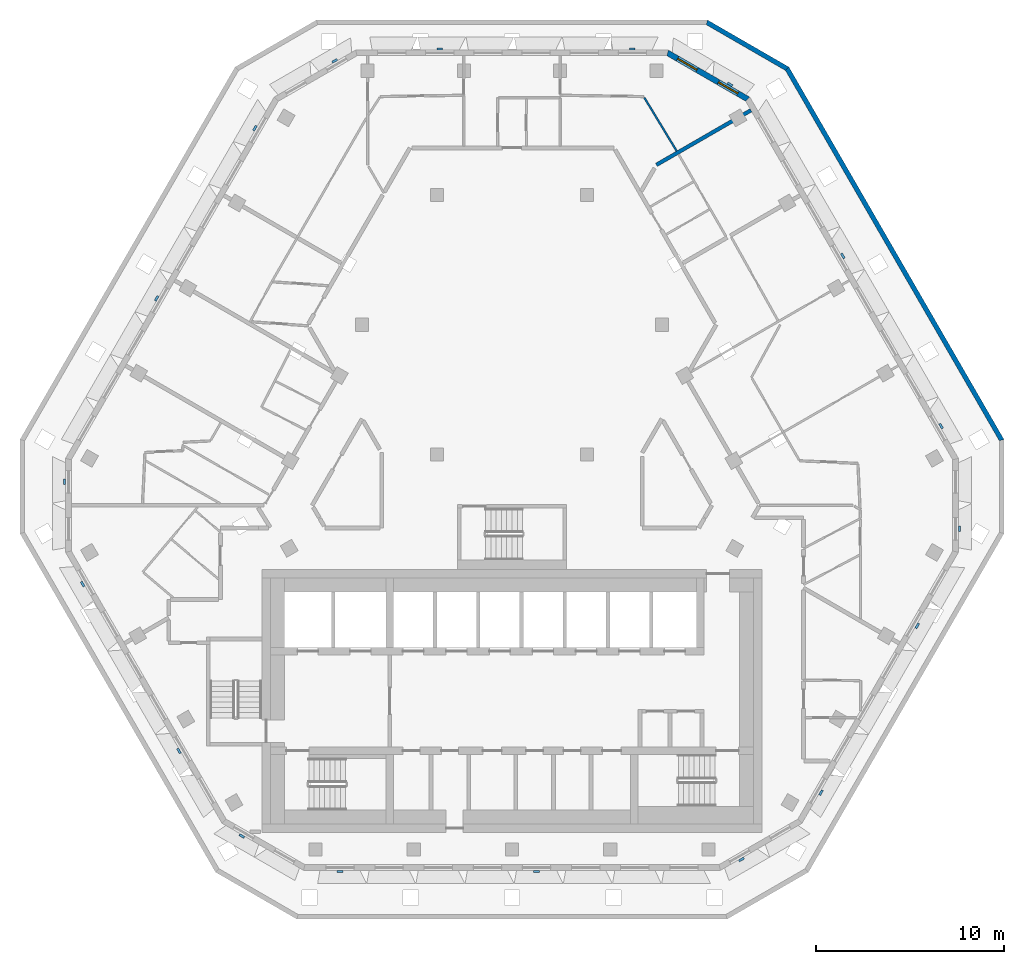
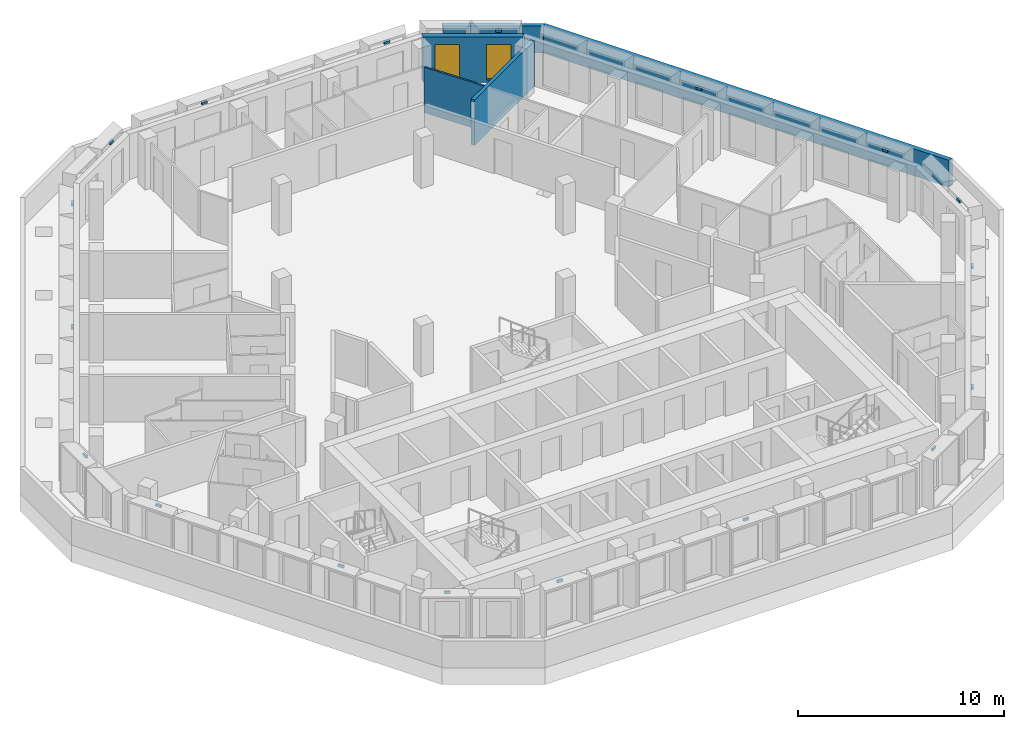
# One storey, part 9 of 15: 18 discrete accessories, 5 walls, 2 windows, 2 openings.
"""IFC4 building model written with IfcOpenShell, lengths in metres."""

from ifc_helpers import new_model, si_unit, direction, frame, frame_2d, origin, place, context, subcontext, project, spatial, polyline, rectangle, outline, extrude, source, transform, mapped, material, layer, layer_set, type_object, type_shapes, element, fill, save


model = new_model("IFC4")

# Units and contexts
model_context = context("Model", 3, precision=1e-05, world=origin(), true_north=direction((0.0, 1.0)))
body_context = subcontext(model_context, "Body", "Model", "MODEL_VIEW")
ifc_project = project(units=[si_unit("LENGTHUNIT", "METRE"), si_unit("AREAUNIT", "SQUARE_METRE"), si_unit("VOLUMEUNIT", "CUBIC_METRE"), si_unit("PLANEANGLEUNIT", "RADIAN"), si_unit("MASSUNIT", "GRAM", prefix="KILO")], contexts=[model_context])

# Site, building, storey
site_placement = place(None, origin())
site = spatial("IfcSite", under=ifc_project, at=site_placement, CompositionType="ELEMENT")
building_placement = place(site_placement, origin())
building = spatial("IfcBuilding", under=site, at=building_placement, Name="Beryl Residences", CompositionType="ELEMENT")
storey_placement = place(building_placement, frame((0.0, 0.0, 202.800048828125)))
storey = spatial("IfcBuildingStorey", under=building, at=storey_placement, Name="L62", CompositionType="ELEMENT", Elevation=202.800048828125)

# Wall, openings, windows
ifc_material_1 = material(Name="Composite metal panel with mineral wool insulation")
ifc_layer_1 = layer(ifc_material_1, 0.300048828125)
ifc_layer_set_1 = layer_set([ifc_layer_1], Name="ES1 pale metal composite panel wall 300 mm")
wall_type_1 = type_object("IfcWallType", Name="ES1 pale metal composite panel wall 300 mm", PredefinedType="SOLIDWALL", material=ifc_layer_set_1)
wall_1_placement = place(storey_placement, frame((12.569091796875, 19.969970703125, 0.0), z_axis=(0.0, 0.0, 1.0), x_axis=(-0.866022959057, 0.500004234368, 0.0)))
wall_1 = element("IfcWall", 1, at=wall_1_placement, inside=storey, type_object=wall_type_1, Name="ES1 external wall L62 NE-N", PredefinedType="SOLIDWALL", context=body_context, shape_type="SweptSolid", body=[
    extrude(outline(polyline([(0.0, -0.14990234375), (5.0, -0.14990234375), (4.919677734375, 0.14990234375), (0.080322265625, 0.14990234375), (0.0, -0.14990234375)])), origin(), (0.0, 0.0, 1.0), 2.699951171875),
])
opening_1_placement = place(wall_1_placement, frame((0.64990234375, 0.0, 0.14990234375)))
opening_1 = element("IfcOpeningElement", 2, at=opening_1_placement, cuts=wall_1, Name="Opening W2", PredefinedType="OPENING", context=body_context, shape_type="SweptSolid", body=[
    extrude(rectangle(XDim=1.199951171875, YDim=2.10009765625, at=frame_2d((0.60009765625, 1.050048828125))), frame((0.0, 0.159912109375, 0.0), z_axis=(0.0, -1.0, 0.0), x_axis=(1.0, 0.0, 0.0)), (0.0, 0.0, 1.0), 0.320068359375),
])
opening_2_placement = place(wall_1_placement, frame((3.14990234375, 0.0, 0.14990234375)))
opening_2 = element("IfcOpeningElement", 3, at=opening_2_placement, cuts=wall_1, Name="Opening W2", PredefinedType="OPENING", context=body_context, shape_type="SweptSolid", body=[
    extrude(rectangle(XDim=1.199951171875, YDim=2.10009765625, at=frame_2d((0.60009765625, 1.050048828125))), frame((0.0, 0.159912109375, 0.0), z_axis=(0.0, -1.0, 0.0), x_axis=(1.0, 0.0, 0.0)), (0.0, 0.0, 1.0), 0.320068359375),
])
ifc_material_2 = material(Name="Aluminium and clear glass", Category="aluminium")
window_type = type_object("IfcWindowType", Name="W2 chamfer window 1200 x 2100 mm", PartitioningType="SINGLE_PANEL", PredefinedType="WINDOW", material=ifc_material_2)
window_1_placement = place(opening_1_placement, origin())
window_1 = element("IfcWindow", 4, at=window_1_placement, inside=storey, type_object=window_type, Name="W2 window L62 NE-N 1", OverallHeight=2.10009765625, OverallWidth=1.199951171875, PartitioningType="SINGLE_PANEL", PredefinedType="WINDOW", context=body_context, shape_type="SweptSolid", body=[
    extrude(rectangle(XDim=1.199951171875, YDim=2.10009765625, at=frame_2d((0.60009765625, 1.050048828125))), frame((0.0, 0.030029296875, 0.0), z_axis=(0.0, -1.0, 0.0), x_axis=(1.0, 0.0, 0.0)), (0.0, 0.0, 1.0), 0.06005859375),
])
fill(opening_1, window_1)
window_2_placement = place(opening_2_placement, origin())
window_2 = element("IfcWindow", 5, at=window_2_placement, inside=storey, type_object=window_type, Name="W2 window L62 NE-N 2", OverallHeight=2.10009765625, OverallWidth=1.199951171875, PartitioningType="SINGLE_PANEL", PredefinedType="WINDOW", context=body_context, shape_type="SweptSolid", body=[
    extrude(rectangle(XDim=1.199951171875, YDim=2.10009765625, at=frame_2d((0.60009765625, 1.050048828125))), frame((0.0, 0.030029296875, 0.0), z_axis=(0.0, -1.0, 0.0), x_axis=(1.0, 0.0, 0.0)), (0.0, 0.0, 1.0), 0.06005859375),
])
fill(opening_2, window_2)

# Walls
ifc_material_3 = material(Name="Precast concrete C40/50", Category="concrete")
ifc_layer_2 = layer(ifc_material_3, 0.25)
ifc_layer_set_2 = layer_set([ifc_layer_2], Name="PA1 roof parapet 250 mm")
wall_type_2 = type_object("IfcWallType", Name="PA1 roof parapet 250 mm", PredefinedType="PARAPET", material=ifc_layer_set_2)
wall_2_placement = place(storey_placement, frame((10.330078125, 24.092041015625, 0.0), z_axis=(0.0, 0.0, 1.0), x_axis=(0.865877295069, -0.50025644412, 0.0)))
element("IfcWall", 6, at=wall_2_placement, inside=storey, type_object=wall_type_2, Name="PA1 parapet L62 strip 1", PredefinedType="PARAPET", context=body_context, shape_type="SweptSolid", body=[
    extrude(outline(polyline([(0.06689453125, -0.125), (4.932373046875, -0.125), (4.999267578125, 0.125), (0.0, 0.125), (0.06689453125, -0.125)])), origin(), (0.0, 0.0, 1.0), 1.599853515625),
])
wall_3_placement = place(storey_placement, frame((14.613037109375, 21.636962890625, 0.0), z_axis=(0.0, 0.0, 1.0), x_axis=(0.500061067893, -0.865990143349, 0.0)))
element("IfcWall", 7, at=wall_3_placement, inside=storey, type_object=wall_type_2, Name="PA1 parapet L62 strip 2", PredefinedType="PARAPET", context=body_context, shape_type="SweptSolid", body=[
    extrude(outline(polyline([(0.06689453125, -0.125), (22.796142578125, -0.125), (22.863037109375, 0.125), (0.0, 0.125), (0.06689453125, -0.125)])), origin(), (0.0, 0.0, 1.0), 1.599853515625),
])
ifc_material_4 = material(Name="Gypsum board partition on steel studs", Category="steel")
ifc_layer_3 = layer(ifc_material_4, 0.10009765625)
ifc_layer_set_3 = layer_set([ifc_layer_3], Name="PT1 partition 100 mm gypsum board on steel studs")
wall_type_3 = type_object("IfcWallType", Name="PT1 partition 100 mm gypsum board on steel studs", PredefinedType="PARTITIONING", material=ifc_layer_set_3)
wall_4_placement = place(storey_placement, frame((7.032958984375, 20.076904296875, 0.0), z_axis=(0.0, 0.0, 1.0), x_axis=(0.517918779664, -0.855429797044, 0.0)))
element("IfcWall", 8, at=wall_4_placement, inside=storey, type_object=wall_type_3, Name="Wall PT1 L62 003", PredefinedType="PARTITIONING", context=body_context, shape_type="SweptSolid", body=[
    extrude(rectangle(XDim=3.321044921875, YDim=0.10009765625, at=frame_2d((1.66064453125, 0.0))), origin(), (0.0, 0.0, 1.0), 2.699951171875),
])
ifc_material_5 = material(Name="Acoustic double stud gypsum board wall")
ifc_layer_4 = layer(ifc_material_5, 0.199951171875)
ifc_layer_set_4 = layer_set([ifc_layer_4], Name="PT3 party wall 200 mm acoustic double stud")
wall_type_4 = type_object("IfcWallType", Name="PT3 party wall 200 mm acoustic double stud", PredefinedType="PARTITIONING", material=ifc_layer_set_4)
wall_5_placement = place(storey_placement, frame((7.679931640625, 16.5009765625, 0.0), z_axis=(0.0, 0.0, 1.0), x_axis=(0.86602149507, 0.500006770031, 0.0)))
element("IfcWall", 9, at=wall_5_placement, inside=storey, type_object=wall_type_4, Name="Wall PT3 L62 012", PredefinedType="PARTITIONING", context=body_context, shape_type="SweptSolid", body=[
    extrude(rectangle(XDim=5.7978515625, YDim=0.199951171875, at=frame_2d((2.89892578125, 0.0))), origin(), (0.0, 0.0, 1.0), 2.699951171875),
])

# Discrete accessories
ifc_material_6 = material(Name="Steel S355", Category="steel")
discrete_accessory_type = type_object("IfcDiscreteAccessoryType", Name="BR1 frame bracket 300 x 120 x 150 mm", PredefinedType="BRACKET", material=ifc_material_6)
shared_shape = source(origin(), body_context, "Body", "SweptSolid", [
    extrude(outline(polyline([(-0.14990234375, 0.0), (0.14990234375, 0.0), (0.14990234375, 0.1201171875), (-0.14990234375, 0.1201171875), (-0.14990234375, 0.0)])), origin(), (0.0, 0.0, 1.0), 0.14990234375),
])
type_shapes(discrete_accessory_type, [shared_shape])
for number, where, z_axis, x_axis, name in (
    (10, (6.39892578125, 22.60009765625, 2.75), (0.0, 0.0, 1.0), (1.0, 0.0, 0.0), "BR1 bracket L62 N 1"),
    (11, (-3.839111328125, 22.60009765625, 2.75), (0.0, 0.0, 1.0), (1.0, 0.0, 0.0), "BR1 bracket L62 N 5"),
    (12, (-9.39599609375, 21.97509765625, 2.75), (0.0, 0.0, 1.0), (0.866025403784, 0.5, 0.0), "BR1 bracket L62 N-NW 1"),
    (13, (-13.614013671875, 18.4189453125, 2.75), (0.0, 0.0, 1.0), (0.5, 0.866025403784, 0.0), "BR1 bracket L62 NW 1"),
    (14, (-18.839111328125, 9.368896484375, 2.75), (0.0, 0.0, 1.0), (0.5, 0.866025403784, 0.0), "BR1 bracket L62 NW 5"),
    (15, (-23.72900390625, -0.35009765625, 2.75), (0.0, 0.0, 1.0), (0.0, 1.0, 0.0), "BR1 bracket L62 NW-SW 1"),
    (16, (-22.77099609375, -5.758056640625, 2.75), (0.0, 0.0, 1.0), (-0.5, 0.866025403784, 0.0), "BR1 bracket L62 SW 1"),
    (17, (-17.653076171875, -14.6240234375, 2.75), (0.0, 0.0, 1.0), (-0.5, 0.866025403784, 0.0), "BR1 bracket L62 SW 5"),
    (18, (-14.33203125, -19.125, 2.75), (0.0, 0.0, 1.0), (-0.866025403784, 0.5, 0.0), "BR1 bracket L62 SW-S 1"),
    (19, (-9.14404296875, -21.0, 2.75), (0.0, 0.0, 1.0), (-1.0, 0.0, 0.0), "BR1 bracket L62 S 1"),
    (20, (1.305908203125, -21.0, 2.75), (0.0, 0.0, 1.0), (-1.0, 0.0, 0.0), "BR1 bracket L62 S 5"),
    (21, (12.16796875, -20.375, 2.75), (0.0, 0.0, 1.0), (-0.866025403784, -0.5, 0.0), "BR1 bracket L62 S-SE 1"),
    (22, (16.373046875, -16.842041015625, 2.75), (0.0, 0.0, 1.0), (-0.5, -0.866025403784, 0.0), "BR1 bracket L62 SE 1"),
    (23, (21.490966796875, -7.97607421875, 2.75), (0.0, 0.0, 1.0), (-0.5, -0.866025403784, 0.0), "BR1 bracket L62 SE 5"),
    (24, (23.72900390625, -2.85009765625, 2.75), (0.0, 0.0, 1.0), (0.0, -1.0, 0.0), "BR1 bracket L62 SE-NE 1"),
    (25, (22.758056640625, 2.5810546875, 2.75), (0.0, 0.0, 1.0), (0.5, -0.866025403784, 0.0), "BR1 bracket L62 NE 1"),
    (26, (17.532958984375, 11.631103515625, 2.75), (0.0, 0.0, 1.0), (0.5, -0.866025403784, 0.0), "BR1 bracket L62 NE 5"),
    (27, (11.56103515625, 20.72509765625, 2.75), (0.0, 0.0, 1.0), (0.866025403784, -0.5, 0.0), "BR1 bracket L62 NE-N 1"),
):
    element("IfcDiscreteAccessory", number, at=place(storey_placement, frame(where, z_axis=z_axis, x_axis=x_axis)), inside=storey, type_object=discrete_accessory_type, Name=name, PredefinedType="BRACKET", context=body_context, shape_type="MappedRepresentation", body=[
        mapped(shared_shape, transform((0.0, 0.0, 0.0))),
    ])

save(model, "model.ifc")
